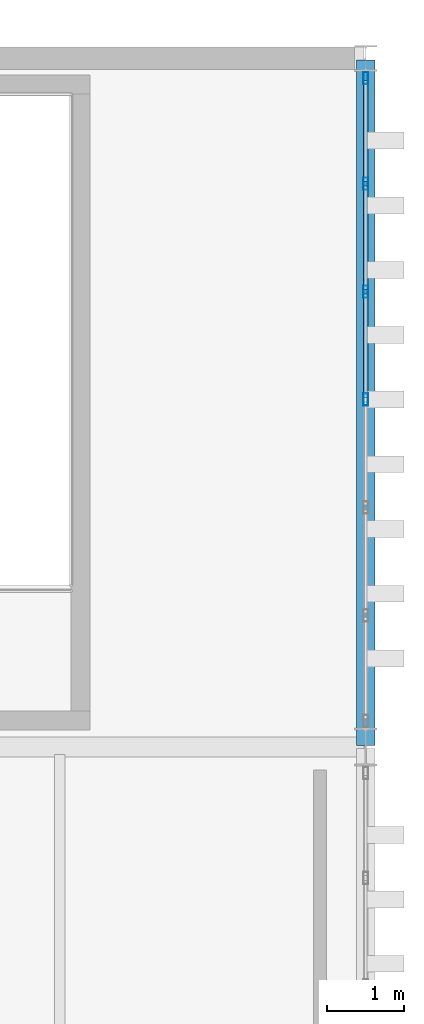
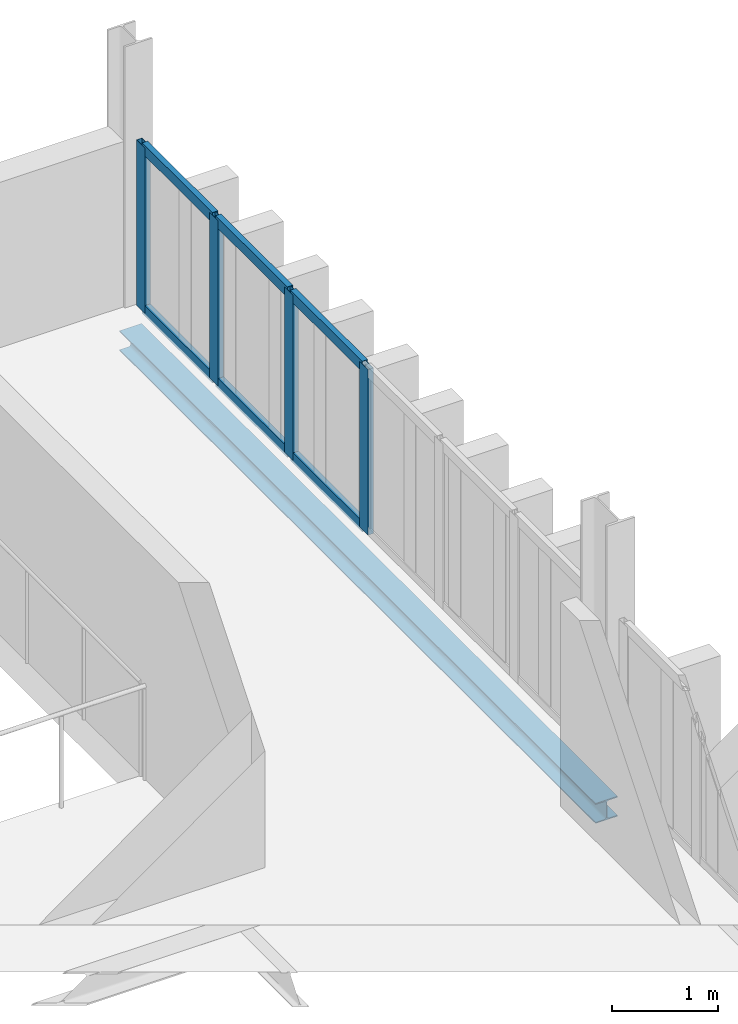
# One storey, part 47 of 58: 10 members, 1 beam, 1 element without a shape of its own.
"""IFC4 building model written with IfcOpenShell, lengths in metres."""

from ifc_helpers import new_model, si_unit, direction, frame, origin, origin_2d, place, context, subcontext, project, spatial, hollow_rectangle, i_section, extrude, material, layer, layer_set, material_profile, profile_set, type_object, element, aggregate, save


model = new_model("IFC4")

# Units and contexts
model_context = context("Model", 3, precision=1e-05, world=origin(), true_north=direction((0.0, 1.0)))
body_context = subcontext(model_context, "Body", "Model", "MODEL_VIEW")
ifc_project = project(units=[si_unit("LENGTHUNIT", "METRE"), si_unit("AREAUNIT", "SQUARE_METRE"), si_unit("VOLUMEUNIT", "CUBIC_METRE"), si_unit("PLANEANGLEUNIT", "RADIAN"), si_unit("MASSUNIT", "GRAM", prefix="KILO")], contexts=[model_context])

# Site, building, storey
site_placement = place(None, origin())
site = spatial("IfcSite", under=ifc_project, at=site_placement, CompositionType="ELEMENT")
building_placement = place(site_placement, origin())
building = spatial("IfcBuilding", under=site, at=building_placement, Name="Barlavento Convention Centre", CompositionType="ELEMENT")
storey_placement = place(building_placement, frame((0.0, 0.0, 26.800048828125)))
storey = spatial("IfcBuildingStorey", under=building, at=storey_placement, Name="L05", CompositionType="ELEMENT", Elevation=26.800048828125)

# Curtain wall, members
ifc_material_1 = material(Name="Powder-coated aluminium and Low-E glass", Category="aluminium")
ifc_layer = layer(ifc_material_1, 0.18994140625)
ifc_layer_set = layer_set([ifc_layer], Name="ARC-CW-CONF-L05")
curtain_wall_type = type_object("IfcCurtainWallType", Name="ARC-CW-CONF-L05", PredefinedType="NOTDEFINED", material=ifc_layer_set)
curtain_wall_placement = place(storey_placement, origin())
curtain_wall = element("IfcCurtainWall", 1, at=curtain_wall_placement, inside=storey, type_object=curtain_wall_type, Name="L05 unitised curtain wall CW10", PredefinedType="NOTDEFINED")
ifc_material_2 = material(Name="Powder-coated aluminium", Category="aluminium")
ifc_material_profile_1 = material_profile(ifc_material_2, hollow_rectangle(XDim=0.06005859375, YDim=0.159912109375, WallThickness=0.00390625, at=origin_2d()), Name="AL-MULL 60x160x4")
ifc_profile_set_1 = profile_set([ifc_material_profile_1], Name="Powder-coated aluminium")
member_type_1 = type_object("IfcMemberType", Name="ARC-CWM-60X160", PredefinedType="MULLION", material=ifc_profile_set_1)
member_1_placement = place(storey_placement, frame((192.0, 94.5400390625, 0.0), z_axis=(0.0, 0.0, 1.0), x_axis=(-1.0, 0.0, 0.0)))
member_1 = element("IfcMember", 2, at=member_1_placement, type_object=member_type_1, Name="CW10 mullion 4", PredefinedType="MULLION", context=body_context, shape_type="SweptSolid", body=[
    extrude(hollow_rectangle(XDim=0.06005859375, YDim=0.159912109375, WallThickness=0.00390625, at=origin_2d()), origin(), (0.0, 0.0, 1.0), 1.89990234375),
])
member_2_placement = place(storey_placement, frame((192.0, 95.949951171875, 0.0), z_axis=(0.0, 0.0, 1.0), x_axis=(-1.0, 0.0, 0.0)))
member_2 = element("IfcMember", 3, at=member_2_placement, type_object=member_type_1, Name="CW10 mullion 5", PredefinedType="MULLION", context=body_context, shape_type="SweptSolid", body=[
    extrude(hollow_rectangle(XDim=0.06005859375, YDim=0.159912109375, WallThickness=0.00390625, at=origin_2d()), origin(), (0.0, 0.0, 1.0), 1.89990234375),
])
member_3_placement = place(storey_placement, frame((192.0, 97.360107421875, 0.0), z_axis=(0.0, 0.0, 1.0), x_axis=(-1.0, 0.0, 0.0)))
member_3 = element("IfcMember", 4, at=member_3_placement, type_object=member_type_1, Name="CW10 mullion 6", PredefinedType="MULLION", context=body_context, shape_type="SweptSolid", body=[
    extrude(hollow_rectangle(XDim=0.06005859375, YDim=0.159912109375, WallThickness=0.00390625, at=origin_2d()), origin(), (0.0, 0.0, 1.0), 1.89990234375),
])
member_4_placement = place(storey_placement, frame((192.0, 98.739990234375, 0.0), z_axis=(0.0, 0.0, 1.0), x_axis=(-1.0, 0.0, 0.0)))
member_4 = element("IfcMember", 5, at=member_4_placement, type_object=member_type_1, Name="CW10 mullion 7", PredefinedType="MULLION", context=body_context, shape_type="SweptSolid", body=[
    extrude(hollow_rectangle(XDim=0.06005859375, YDim=0.159912109375, WallThickness=0.00390625, at=origin_2d()), origin(), (0.0, 0.0, 1.0), 1.89990234375),
])
ifc_material_profile_2 = material_profile(ifc_material_2, hollow_rectangle(XDim=0.06005859375, YDim=0.1201171875, WallThickness=0.00390625, at=origin_2d()), Name="AL-TRAN 60x120x4")
ifc_profile_set_2 = profile_set([ifc_material_profile_2], Name="Powder-coated aluminium")
member_type_2 = type_object("IfcMemberType", Name="ARC-CWT-60X120", PredefinedType="USERDEFINED", material=ifc_profile_set_2)
member_5_placement = place(storey_placement, frame((192.0, 94.570068359375, 0.030029296875), z_axis=(0.0, 1.0, 0.0), x_axis=(-1.0, 0.0, 0.0)))
member_5 = element("IfcMember", 6, at=member_5_placement, type_object=member_type_2, Name="CW10 transom 4.1", ObjectType="TRANSOM", PredefinedType="USERDEFINED", context=body_context, shape_type="SweptSolid", body=[
    extrude(hollow_rectangle(XDim=0.06005859375, YDim=0.1201171875, WallThickness=0.00390625, at=origin_2d()), origin(), (0.0, 0.0, 1.0), 1.349853515625),
])
member_6_placement = place(storey_placement, frame((192.0, 94.570068359375, 1.869873046875), z_axis=(0.0, 1.0, 0.0), x_axis=(-1.0, 0.0, 0.0)))
member_6 = element("IfcMember", 7, at=member_6_placement, type_object=member_type_2, Name="CW10 transom 4.2", ObjectType="TRANSOM", PredefinedType="USERDEFINED", context=body_context, shape_type="SweptSolid", body=[
    extrude(hollow_rectangle(XDim=0.06005859375, YDim=0.1201171875, WallThickness=0.00390625, at=origin_2d()), origin(), (0.0, 0.0, 1.0), 1.349853515625),
])
member_7_placement = place(storey_placement, frame((192.0, 95.97998046875, 0.030029296875), z_axis=(0.0, 1.0, 0.0), x_axis=(-1.0, 0.0, 0.0)))
member_7 = element("IfcMember", 8, at=member_7_placement, type_object=member_type_2, Name="CW10 transom 5.1", ObjectType="TRANSOM", PredefinedType="USERDEFINED", context=body_context, shape_type="SweptSolid", body=[
    extrude(hollow_rectangle(XDim=0.06005859375, YDim=0.1201171875, WallThickness=0.00390625, at=origin_2d()), origin(), (0.0, 0.0, 1.0), 1.35009765625),
])
member_8_placement = place(storey_placement, frame((192.0, 95.97998046875, 1.869873046875), z_axis=(0.0, 1.0, 0.0), x_axis=(-1.0, 0.0, 0.0)))
member_8 = element("IfcMember", 9, at=member_8_placement, type_object=member_type_2, Name="CW10 transom 5.2", ObjectType="TRANSOM", PredefinedType="USERDEFINED", context=body_context, shape_type="SweptSolid", body=[
    extrude(hollow_rectangle(XDim=0.06005859375, YDim=0.1201171875, WallThickness=0.00390625, at=origin_2d()), origin(), (0.0, 0.0, 1.0), 1.35009765625),
])
member_9_placement = place(storey_placement, frame((192.0, 97.389892578125, 0.030029296875), z_axis=(0.0, 1.0, 0.0), x_axis=(-1.0, 0.0, 0.0)))
member_9 = element("IfcMember", 10, at=member_9_placement, type_object=member_type_2, Name="CW10 transom 6.1", ObjectType="TRANSOM", PredefinedType="USERDEFINED", context=body_context, shape_type="SweptSolid", body=[
    extrude(hollow_rectangle(XDim=0.06005859375, YDim=0.1201171875, WallThickness=0.00390625, at=origin_2d()), origin(), (0.0, 0.0, 1.0), 1.320068359375),
])
member_10_placement = place(storey_placement, frame((192.0, 97.389892578125, 1.869873046875), z_axis=(0.0, 1.0, 0.0), x_axis=(-1.0, 0.0, 0.0)))
member_10 = element("IfcMember", 11, at=member_10_placement, type_object=member_type_2, Name="CW10 transom 6.2", ObjectType="TRANSOM", PredefinedType="USERDEFINED", context=body_context, shape_type="SweptSolid", body=[
    extrude(hollow_rectangle(XDim=0.06005859375, YDim=0.1201171875, WallThickness=0.00390625, at=origin_2d()), origin(), (0.0, 0.0, 1.0), 1.320068359375),
])
aggregate(curtain_wall, [member_1, member_2, member_3, member_4, member_5, member_6, member_7, member_8, member_9, member_10])

# Beam
ifc_material_3 = material(Name="Steel S355", Category="steel")
ifc_material_profile_3 = material_profile(ifc_material_3, i_section(OverallWidth=0.239990234375, OverallDepth=0.22998046875, WebThickness=0.007568359375, FlangeThickness=0.011962890625, FilletRadius=0.02099609375, at=origin_2d()), Name="HEA 240")
ifc_profile_set_3 = profile_set([ifc_material_profile_3], Name="Steel S355")
beam_type = type_object("IfcBeamType", Name="STR-BM-SPN-HEA240", PredefinedType="SPANDREL", material=ifc_profile_set_3)
beam_placement = place(storey_placement, frame((192.0, 90.02001953125, -0.47509765625), z_axis=(0.0, 1.0, 0.0), x_axis=(-1.0, 0.0, 0.0)))
element("IfcBeam", 12, at=beam_placement, inside=storey, type_object=beam_type, Name="L05 grid girder SP05", PredefinedType="SPANDREL", context=body_context, shape_type="SweptSolid", body=[
    extrude(i_section(OverallWidth=0.239990234375, OverallDepth=0.22998046875, WebThickness=0.007568359375, FlangeThickness=0.011962890625, FilletRadius=0.02099609375, at=origin_2d()), origin(), (0.0, 0.0, 1.0), 8.9599609375),
])

save(model, "model.ifc")
